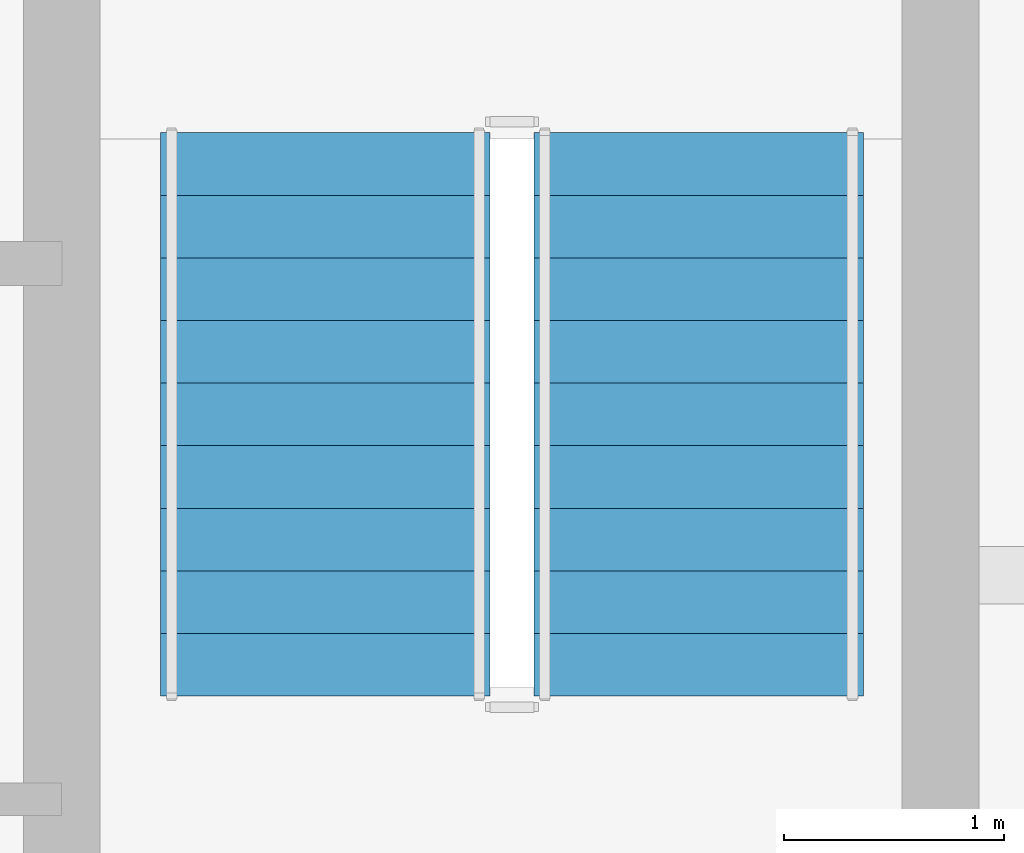
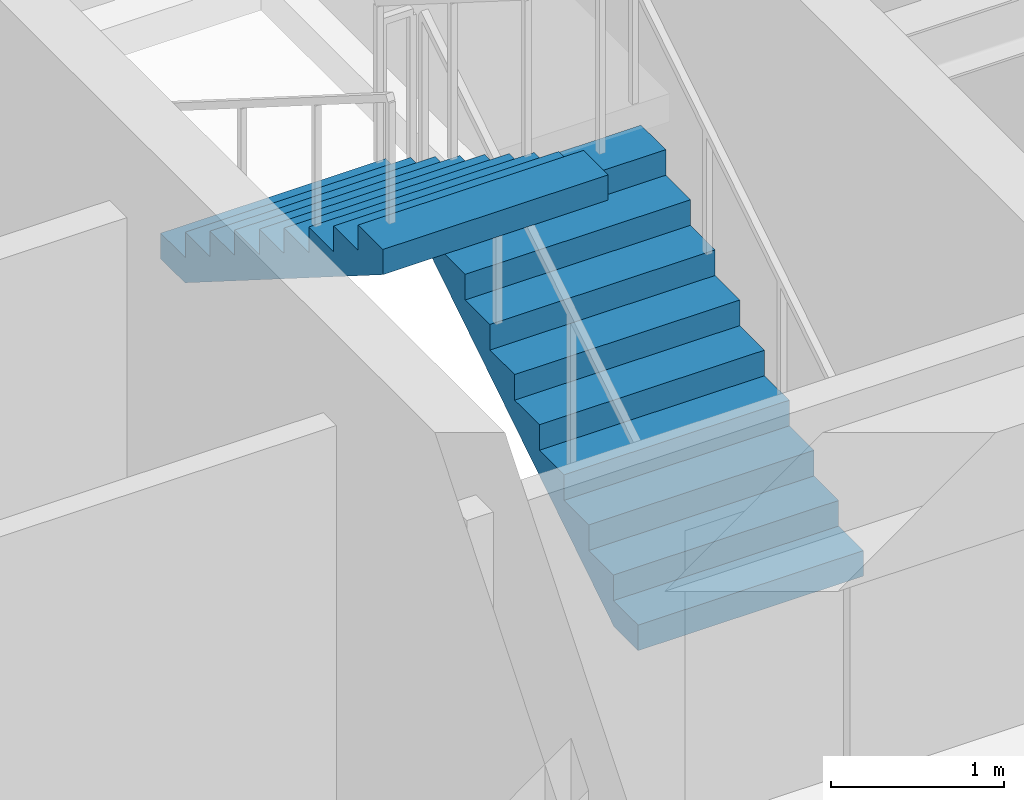
# One storey, part 20 of 23: 2 stair flights, 1 element without a shape of its own.
"""IFC4 building model written with IfcOpenShell, lengths in metres."""

from ifc_helpers import new_model, si_unit, direction, frame, origin, place, context, subcontext, project, spatial, polyline, outline, extrude, material, type_object, element, aggregate, save


model = new_model("IFC4")

# Units and contexts
model_context = context("Model", 3, precision=1e-05, world=origin(), true_north=direction((0.0, 1.0)))
body_context = subcontext(model_context, "Body", "Model", "MODEL_VIEW")
ifc_project = project(units=[si_unit("LENGTHUNIT", "METRE"), si_unit("AREAUNIT", "SQUARE_METRE"), si_unit("VOLUMEUNIT", "CUBIC_METRE"), si_unit("PLANEANGLEUNIT", "RADIAN"), si_unit("MASSUNIT", "GRAM", prefix="KILO")], contexts=[model_context])

# Site, building, storey
site_placement = place(None, origin())
site = spatial("IfcSite", under=ifc_project, at=site_placement, CompositionType="ELEMENT")
building_placement = place(site_placement, origin())
building = spatial("IfcBuilding", under=site, at=building_placement, Name="Sarneth Arch Tower", CompositionType="ELEMENT")
storey_placement = place(building_placement, frame((0.0, 0.0, 269.39990234375)))
storey = spatial("IfcBuildingStorey", under=building, at=storey_placement, Name="L69", CompositionType="ELEMENT", Elevation=269.39990234375)

# Stair, stair flights
ifc_material_1 = material(Name="Concrete C50/60", Category="concrete")
stair_type = type_object("IfcStairType", Name="STAIR-CORE-RC", PredefinedType="HALF_TURN_STAIR", material=ifc_material_1)
stair_placement = place(storey_placement, origin())
stair = element("IfcStair", 1, at=stair_placement, inside=storey, type_object=stair_type, Name="L69 Core Exit Stair 2", PredefinedType="HALF_TURN_STAIR")
ifc_material_2 = material(Name="Concrete C50/60", Category="concrete")
stair_flight_type = type_object("IfcStairFlightType", Name="FLIGHT-RC-1500", PredefinedType="STRAIGHT", material=ifc_material_2)
stair_flight_1_placement = place(storey_placement, frame((57.89990234375, 41.449951171875, 0.0), z_axis=(0.0, 0.0, 1.0), x_axis=(0.0, 1.0, 0.0)))
stair_flight_1 = element("IfcStairFlight", 2, at=stair_flight_1_placement, type_object=stair_flight_type, Name="ST-2 flight 1", NumberOfRisers=10, NumberOfTreads=9, PredefinedType="STRAIGHT", RiserHeight=0.18, TreadLength=0.285, context=body_context, shape_type="SweptSolid", body=[
    extrude(outline(polyline([(0.0, 0.0), (0.0, 0.179931640625), (0.284912109375, 0.179931640625), (0.284912109375, 0.360107421875), (0.570068359375, 0.360107421875), (0.570068359375, 0.5400390625), (0.85498046875, 0.5400390625), (0.85498046875, 0.719970703125), (1.139892578125, 0.719970703125), (1.139892578125, 0.89990234375), (1.425048828125, 0.89990234375), (1.425048828125, 1.080078125), (1.7099609375, 1.080078125), (1.7099609375, 1.260009765625), (1.9951171875, 1.260009765625), (1.9951171875, 1.43994140625), (2.280029296875, 1.43994140625), (2.280029296875, 1.6201171875), (2.56494140625, 1.6201171875), (2.56494140625, 1.800048828125), (2.56494140625, 1.442626953125), (0.28076171875, 0.0), (0.0, 0.0)])), frame((0.0, 0.75, 0.0), z_axis=(0.0, -1.0, 0.0), x_axis=(1.0, 0.0, 0.0)), (0.0, 0.0, 1.0), 1.5),
])
stair_flight_2_placement = place(storey_placement, frame((56.199951171875, 44.014892578125, 1.800048828125), z_axis=(0.0, 0.0, 1.0), x_axis=(0.0, -1.0, 0.0)))
stair_flight_2 = element("IfcStairFlight", 3, at=stair_flight_2_placement, type_object=stair_flight_type, Name="ST-2 flight 2", NumberOfRisers=10, NumberOfTreads=9, PredefinedType="STRAIGHT", RiserHeight=0.18, TreadLength=0.285, context=body_context, shape_type="SweptSolid", body=[
    extrude(outline(polyline([(0.0, 0.0), (0.0, 0.179931640625), (0.284912109375, 0.179931640625), (0.284912109375, 0.360107421875), (0.570068359375, 0.360107421875), (0.570068359375, 0.5400390625), (0.85498046875, 0.5400390625), (0.85498046875, 0.719970703125), (1.139892578125, 0.719970703125), (1.139892578125, 0.89990234375), (1.425048828125, 0.89990234375), (1.425048828125, 1.080078125), (1.7099609375, 1.080078125), (1.7099609375, 1.260009765625), (1.9951171875, 1.260009765625), (1.9951171875, 1.43994140625), (2.280029296875, 1.43994140625), (2.280029296875, 1.6201171875), (2.56494140625, 1.6201171875), (2.56494140625, 1.800048828125), (2.56494140625, 1.442626953125), (0.28076171875, 0.0), (0.0, 0.0)])), frame((0.0, 0.75, 0.0), z_axis=(0.0, -1.0, 0.0), x_axis=(1.0, 0.0, 0.0)), (0.0, 0.0, 1.0), 1.5),
])
aggregate(stair, [stair_flight_1, stair_flight_2])

save(model, "model.ifc")
